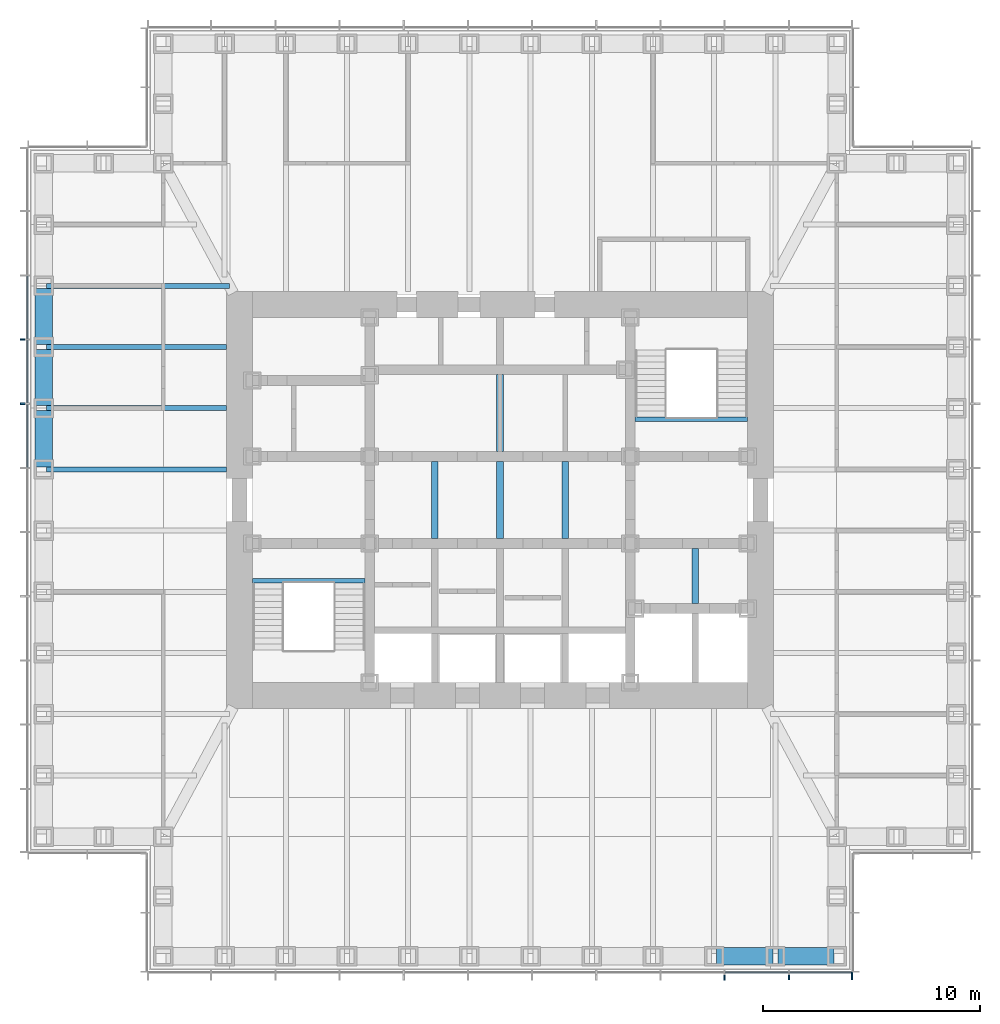
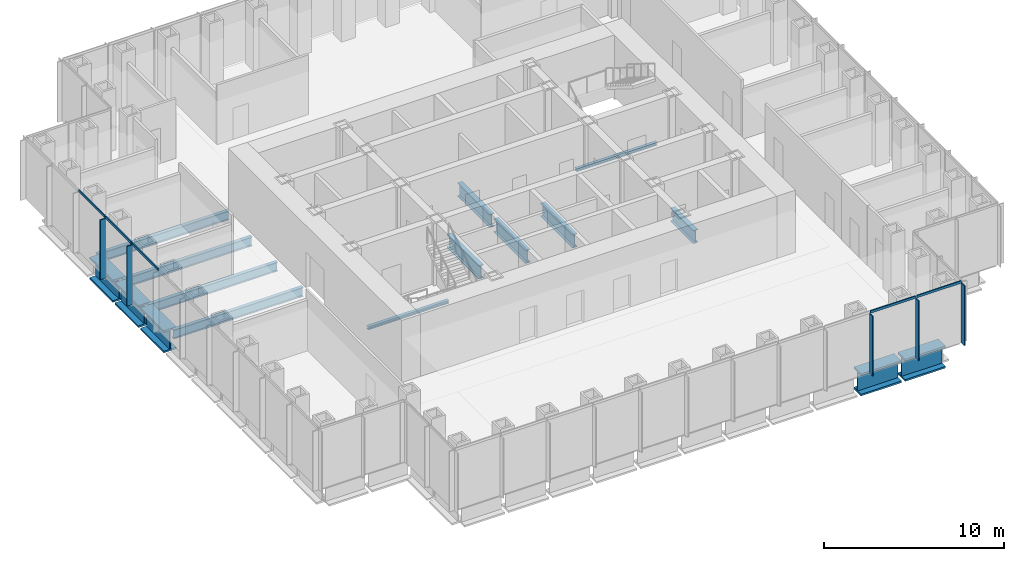
# One storey, part 3 of 16: 16 beams, 10 members, 2 elements without a shape of their own.
"""IFC4 building model written with IfcOpenShell, lengths in metres."""

from ifc_helpers import new_model, si_unit, direction, frame, origin, origin_2d, place, context, subcontext, project, spatial, rectangle, i_section, extrude, material, material_profile, profile_set, type_object, element, aggregate, save


model = new_model("IFC4")

# Units and contexts
model_context = context("Model", 3, precision=1e-05, world=origin(), true_north=direction((0.0, 1.0)))
body_context = subcontext(model_context, "Body", "Model", "MODEL_VIEW")
ifc_project = project(units=[si_unit("LENGTHUNIT", "METRE"), si_unit("AREAUNIT", "SQUARE_METRE"), si_unit("VOLUMEUNIT", "CUBIC_METRE"), si_unit("PLANEANGLEUNIT", "RADIAN"), si_unit("MASSUNIT", "GRAM", prefix="KILO")], contexts=[model_context])

# Site, building, storey
site_placement = place(None, origin())
site = spatial("IfcSite", under=ifc_project, at=site_placement, CompositionType="ELEMENT")
building_placement = place(site_placement, origin())
building = spatial("IfcBuilding", under=site, at=building_placement, Name="Daluyong Arena Tower", CompositionType="ELEMENT")
storey_placement = place(building_placement, frame((0.0, 0.0, 206.5)))
storey = spatial("IfcBuildingStorey", under=building, at=storey_placement, Name="L46", CompositionType="ELEMENT", Elevation=206.5)

# Curtain wall, members
ifc_material_1 = material(Name="Bronze anodised aluminium and glass", Category="aluminium")
curtain_wall_type = type_object("IfcCurtainWallType", Name="Curtain wall CW3", PredefinedType="USERDEFINED", material=ifc_material_1)
curtain_wall_1_placement = place(storey_placement, origin())
curtain_wall_1 = element("IfcCurtainWall", 1, at=curtain_wall_1_placement, inside=storey, type_object=curtain_wall_type, Name="curtain wall L46 S", ObjectType="UNITISED CURTAIN WALL", PredefinedType="USERDEFINED")
ifc_material_2 = material(Name="Bronze anodised aluminium fin", Category="aluminium")
ifc_material_profile_1 = material_profile(ifc_material_2, rectangle(XDim=0.35009765625, YDim=0.070068359375, at=origin_2d()))
ifc_profile_set_1 = profile_set([ifc_material_profile_1], Name="Bronze anodised aluminium fin")
member_type_1 = type_object("IfcMemberType", Name="CW3 bronze fin 350x70", PredefinedType="MULLION", material=ifc_profile_set_1)
member_1_placement = place(storey_placement, frame((66.3408203125, 58.074951171875, 0.0), z_axis=(0.0, 0.0, 1.0), x_axis=(0.0, 1.0, 0.0)))
member_1 = element("IfcMember", 2, at=member_1_placement, type_object=member_type_1, Name="curtain wall L46 S fin 10", PredefinedType="MULLION", context=body_context, shape_type="SweptSolid", body=[
    extrude(rectangle(XDim=0.35009765625, YDim=0.070068359375, at=origin_2d()), origin(), (0.0, 0.0, 1.0), 4.0400390625),
])
member_2_placement = place(storey_placement, frame((69.29541015625, 58.074951171875, 0.0), z_axis=(0.0, 0.0, 1.0), x_axis=(0.0, 1.0, 0.0)))
member_2 = element("IfcMember", 3, at=member_2_placement, type_object=member_type_1, Name="curtain wall L46 S fin 11", PredefinedType="MULLION", context=body_context, shape_type="SweptSolid", body=[
    extrude(rectangle(XDim=0.35009765625, YDim=0.070068359375, at=origin_2d()), origin(), (0.0, 0.0, 1.0), 4.0400390625),
])
member_3_placement = place(storey_placement, frame((72.215087890625, 58.074951171875, 0.0), z_axis=(0.0, 0.0, 1.0), x_axis=(0.0, 1.0, 0.0)))
member_3 = element("IfcMember", 4, at=member_3_placement, type_object=member_type_1, Name="curtain wall L46 S fin 12", PredefinedType="MULLION", context=body_context, shape_type="SweptSolid", body=[
    extrude(rectangle(XDim=0.35009765625, YDim=0.070068359375, at=origin_2d()), origin(), (0.0, 0.0, 1.0), 4.0400390625),
])

curtain_wall_2_placement = place(storey_placement, origin())
curtain_wall_2 = element("IfcCurtainWall", 5, at=curtain_wall_2_placement, inside=storey, type_object=curtain_wall_type, Name="curtain wall L46 W", ObjectType="UNITISED CURTAIN WALL", PredefinedType="USERDEFINED")
member_4_placement = place(storey_placement, frame((34.074951171875, 87.386474609375, 0.0), z_axis=(0.0, 0.0, 1.0), x_axis=(1.0, 0.0, 0.0)))
member_4 = element("IfcMember", 6, at=member_4_placement, type_object=member_type_1, Name="curtain wall L46 W fin 4", PredefinedType="MULLION", context=body_context, shape_type="SweptSolid", body=[
    extrude(rectangle(XDim=0.35009765625, YDim=0.070068359375, at=origin_2d()), origin(), (0.0, 0.0, 1.0), 4.0400390625),
])
member_5_placement = place(storey_placement, frame((34.074951171875, 84.431884765625, 0.0), z_axis=(0.0, 0.0, 1.0), x_axis=(1.0, 0.0, 0.0)))
member_5 = element("IfcMember", 7, at=member_5_placement, type_object=member_type_1, Name="curtain wall L46 W fin 5", PredefinedType="MULLION", context=body_context, shape_type="SweptSolid", body=[
    extrude(rectangle(XDim=0.35009765625, YDim=0.070068359375, at=origin_2d()), origin(), (0.0, 0.0, 1.0), 4.0400390625),
])

# Member
ifc_material_3 = material(Name="Bronze anodised aluminium", Category="aluminium")
ifc_material_profile_2 = material_profile(ifc_material_3, rectangle(XDim=0.070068359375, YDim=0.159912109375, at=origin_2d()))
ifc_profile_set_2 = profile_set([ifc_material_profile_2], Name="Bronze anodised aluminium")
member_type_2 = type_object("IfcMemberType", Name="CW3 stack transom 160x70", PredefinedType="USERDEFINED", material=ifc_profile_set_2)
member_6_placement = place(storey_placement, frame((66.3759765625, 58.25, 4.1201171875), z_axis=(1.0, 0.0, 0.0), x_axis=(0.0, 1.0, 0.0)))
member_6 = element("IfcMember", 8, at=member_6_placement, type_object=member_type_2, Name="curtain wall L46 S transom 10", ObjectType="TRANSOM", PredefinedType="USERDEFINED", context=body_context, shape_type="SweptSolid", body=[
    extrude(rectangle(XDim=0.070068359375, YDim=0.159912109375, at=origin_2d()), origin(), (0.0, 0.0, 1.0), 2.884521484375),
])

member_7_placement = place(storey_placement, frame((69.33056640625, 58.25, 4.1201171875), z_axis=(1.0, 0.0, 0.0), x_axis=(0.0, 1.0, 0.0)))
member_7 = element("IfcMember", 9, at=member_7_placement, type_object=member_type_2, Name="curtain wall L46 S transom 11", ObjectType="TRANSOM", PredefinedType="USERDEFINED", context=body_context, shape_type="SweptSolid", body=[
    extrude(rectangle(XDim=0.070068359375, YDim=0.159912109375, at=origin_2d()), origin(), (0.0, 0.0, 1.0), 2.849365234375),
])

aggregate(curtain_wall_1, [member_1, member_2, member_3, member_6, member_7])

member_8_placement = place(storey_placement, frame((34.25, 90.305908203125, 4.1201171875), z_axis=(0.0, -1.0, 0.0), x_axis=(1.0, 0.0, 0.0)))
member_8 = element("IfcMember", 10, at=member_8_placement, type_object=member_type_2, Name="curtain wall L46 W transom 3", ObjectType="TRANSOM", PredefinedType="USERDEFINED", context=body_context, shape_type="SweptSolid", body=[
    extrude(rectangle(XDim=0.070068359375, YDim=0.159912109375, at=origin_2d()), origin(), (0.0, 0.0, 1.0), 2.884521484375),
])

member_9_placement = place(storey_placement, frame((34.25, 87.351318359375, 4.1201171875), z_axis=(0.0, -1.0, 0.0), x_axis=(1.0, 0.0, 0.0)))
member_9 = element("IfcMember", 11, at=member_9_placement, type_object=member_type_2, Name="curtain wall L46 W transom 4", ObjectType="TRANSOM", PredefinedType="USERDEFINED", context=body_context, shape_type="SweptSolid", body=[
    extrude(rectangle(XDim=0.070068359375, YDim=0.159912109375, at=origin_2d()), origin(), (0.0, 0.0, 1.0), 2.884521484375),
])

member_10_placement = place(storey_placement, frame((34.25, 84.396728515625, 4.1201171875), z_axis=(0.0, -1.0, 0.0), x_axis=(1.0, 0.0, 0.0)))
member_10 = element("IfcMember", 12, at=member_10_placement, type_object=member_type_2, Name="curtain wall L46 W transom 5", ObjectType="TRANSOM", PredefinedType="USERDEFINED", context=body_context, shape_type="SweptSolid", body=[
    extrude(rectangle(XDim=0.070068359375, YDim=0.159912109375, at=origin_2d()), origin(), (0.0, 0.0, 1.0), 2.884521484375),
])

aggregate(curtain_wall_2, [member_4, member_5, member_8, member_9, member_10])

# Beams
ifc_material_4 = material(Name="Steel ASTM A992 Grade 50", Category="steel")
ifc_material_profile_3 = material_profile(ifc_material_4, i_section(OverallWidth=0.22900390625, OverallDepth=0.612060546875, WebThickness=0.011962890625, FlangeThickness=0.01953125, at=origin_2d()))
ifc_profile_set_3 = profile_set([ifc_material_profile_3], Name="Steel ASTM A992 Grade 50")
beam_type_1 = type_object("IfcBeamType", Name="Floor beam W24X84", PredefinedType="BEAM", material=ifc_profile_set_3)
beam_1_placement = place(storey_placement, frame((35.114990234375, 89.863525390625, -0.466064453125), z_axis=(1.0, 0.0, 0.0), x_axis=(0.0, 1.0, 0.0)))
element("IfcBeam", 13, at=beam_1_placement, inside=storey, type_object=beam_type_1, Name="floor beam FB3", PredefinedType="BEAM", context=body_context, shape_type="SweptSolid", body=[
    extrude(i_section(OverallWidth=0.22900390625, OverallDepth=0.612060546875, WebThickness=0.011962890625, FlangeThickness=0.01953125, at=origin_2d()), origin(), (0.0, 0.0, 1.0), 8.419921875),
])
for number, where, z_axis, x_axis, name in (
    (14, (35.114990234375, 87.04541015625, -0.466064453125), (1.0, 0.0, 0.0), (0.0, 1.0, 0.0), "floor beam FB3"),
    (15, (35.114990234375, 84.227294921875, -0.466064453125), (1.0, 0.0, 0.0), (0.0, 1.0, 0.0), "floor beam FB3"),
    (16, (35.114990234375, 81.4091796875, -0.466064453125), (1.0, 0.0, 0.0), (0.0, 1.0, 0.0), "floor beam FB3"),
):
    element("IfcBeam", number, at=place(storey_placement, frame(where, z_axis=z_axis, x_axis=x_axis)), inside=storey, type_object=beam_type_1, Name=name, PredefinedType="BEAM", context=body_context, shape_type="SweptSolid", body=[
        extrude(i_section(OverallWidth=0.22900390625, OverallDepth=0.612060546875, WebThickness=0.011962890625, FlangeThickness=0.01953125, at=origin_2d()), origin(), (0.0, 0.0, 1.0), 8.284912109375),
    ])
ifc_material_5 = material(Name="Steel ASTM A572 Grade 50", Category="steel")
ifc_material_profile_4 = material_profile(ifc_material_5, i_section(OverallWidth=0.300048828125, OverallDepth=0.89990234375, WebThickness=0.025, FlangeThickness=0.04, at=origin_2d()))
ifc_profile_set_4 = profile_set([ifc_material_profile_4], Name="Steel ASTM A572 Grade 50")
beam_type_2 = type_object("IfcBeamType", Name="Lift divider beam PG900X300", PredefinedType="BEAM", material=ifc_profile_set_4)
for number, where, z_axis, x_axis, name in (
    (17, (53.0, 78.22509765625, -0.610107421875), (0.0, 1.0, 0.0), (-1.0, 0.0, 0.0), "lift divider beam DB1"),
    (18, (56.0, 78.22509765625, -0.610107421875), (0.0, 1.0, 0.0), (-1.0, 0.0, 0.0), "lift divider beam DB1"),
    (19, (56.0, 82.22509765625, -0.610107421875), (0.0, 1.0, 0.0), (-1.0, 0.0, 0.0), "lift divider beam DB1"),
    (20, (59.0, 78.22509765625, -0.610107421875), (0.0, 1.0, 0.0), (-1.0, 0.0, 0.0), "lift divider beam DB1"),
):
    element("IfcBeam", number, at=place(storey_placement, frame(where, z_axis=z_axis, x_axis=x_axis)), inside=storey, type_object=beam_type_2, Name=name, PredefinedType="BEAM", context=body_context, shape_type="SweptSolid", body=[
        extrude(i_section(OverallWidth=0.300048828125, OverallDepth=0.89990234375, WebThickness=0.025, FlangeThickness=0.04, at=origin_2d()), origin(), (0.0, 0.0, 1.0), 3.5498046875),
    ])
beam_2_placement = place(storey_placement, frame((65.0, 75.22509765625, -0.610107421875), z_axis=(0.0, 1.0, 0.0), x_axis=(-1.0, 0.0, 0.0)))
element("IfcBeam", 21, at=beam_2_placement, inside=storey, type_object=beam_type_2, Name="lift divider beam DB1", PredefinedType="BEAM", context=body_context, shape_type="SweptSolid", body=[
    extrude(i_section(OverallWidth=0.300048828125, OverallDepth=0.89990234375, WebThickness=0.025, FlangeThickness=0.04, at=origin_2d()), origin(), (0.0, 0.0, 1.0), 2.5498046875),
])
ifc_material_6 = material(Name="Steel ASTM A588 Grade 50", Category="steel")
ifc_material_profile_5 = material_profile(ifc_material_6, i_section(OverallWidth=0.800048828125, OverallDepth=1.5, WebThickness=0.05, FlangeThickness=0.12, at=origin_2d()))
ifc_profile_set_5 = profile_set([ifc_material_profile_5], Name="Steel ASTM A588 Grade 50")
beam_type_3 = type_object("IfcBeamType", Name="Spandrel Z3 PG1500X800", PredefinedType="SPANDREL", material=ifc_profile_set_5)
beam_3_placement = place(storey_placement, frame((65.978515625, 59.0, -0.909912109375), z_axis=(1.0, 0.0, 0.0), x_axis=(0.0, 1.0, 0.0)))
element("IfcBeam", 22, at=beam_3_placement, inside=storey, type_object=beam_type_3, Name="spandrel z3 SB7", PredefinedType="SPANDREL", context=body_context, shape_type="SweptSolid", body=[
    extrude(i_section(OverallWidth=0.800048828125, OverallDepth=1.5, WebThickness=0.05, FlangeThickness=0.12, at=origin_2d()), origin(), (0.0, 0.0, 1.0), 2.58837890625),
])
for number, where, z_axis, x_axis, name in (
    (23, (68.796875, 59.0, -0.909912109375), (1.0, 0.0, 0.0), (0.0, 1.0, 0.0), "spandrel z3 SB7"),
    (24, (35.0, 89.74853515625, -0.909912109375), (0.0, -1.0, 0.0), (1.0, 0.0, 0.0), "spandrel z3 SB7"),
    (25, (35.0, 86.930419921875, -0.909912109375), (0.0, -1.0, 0.0), (1.0, 0.0, 0.0), "spandrel z3 SB7"),
    (26, (35.0, 84.1123046875, -0.909912109375), (0.0, -1.0, 0.0), (1.0, 0.0, 0.0), "spandrel z3 SB7"),
):
    element("IfcBeam", number, at=place(storey_placement, frame(where, z_axis=z_axis, x_axis=x_axis)), inside=storey, type_object=beam_type_3, Name=name, PredefinedType="SPANDREL", context=body_context, shape_type="SweptSolid", body=[
        extrude(i_section(OverallWidth=0.800048828125, OverallDepth=1.5, WebThickness=0.05, FlangeThickness=0.12, at=origin_2d()), origin(), (0.0, 0.0, 1.0), 2.588134765625),
    ])
ifc_material_7 = material(Name="Steel ASTM A992 Grade 50", Category="steel")
ifc_material_profile_6 = material_profile(ifc_material_7, i_section(OverallWidth=0.203125, OverallDepth=0.203125, WebThickness=0.00732421875, FlangeThickness=0.010986328125, at=origin_2d()))
ifc_profile_set_6 = profile_set([ifc_material_profile_6], Name="Steel ASTM A992 Grade 50")
beam_type_4 = type_object("IfcBeamType", Name="Stair landing beam W8X31", PredefinedType="BEAM", material=ifc_profile_set_6)
for number, where, z_axis, x_axis, name in (
    (27, (44.60009765625, 76.276611328125, -0.26171875), (1.0, 0.0, 0.0), (0.0, 1.0, 0.0), "exit stair A landing beam"),
    (28, (62.22509765625, 83.723388671875, -0.26171875), (1.0, 0.0, 0.0), (0.0, 1.0, 0.0), "exit stair B landing beam"),
):
    element("IfcBeam", number, at=place(storey_placement, frame(where, z_axis=z_axis, x_axis=x_axis)), inside=storey, type_object=beam_type_4, Name=name, PredefinedType="BEAM", context=body_context, shape_type="SweptSolid", body=[
        extrude(i_section(OverallWidth=0.203125, OverallDepth=0.203125, WebThickness=0.00732421875, FlangeThickness=0.010986328125, at=origin_2d()), origin(), (0.0, 0.0, 1.0), 5.1748046875),
    ])

save(model, "model.ifc")
